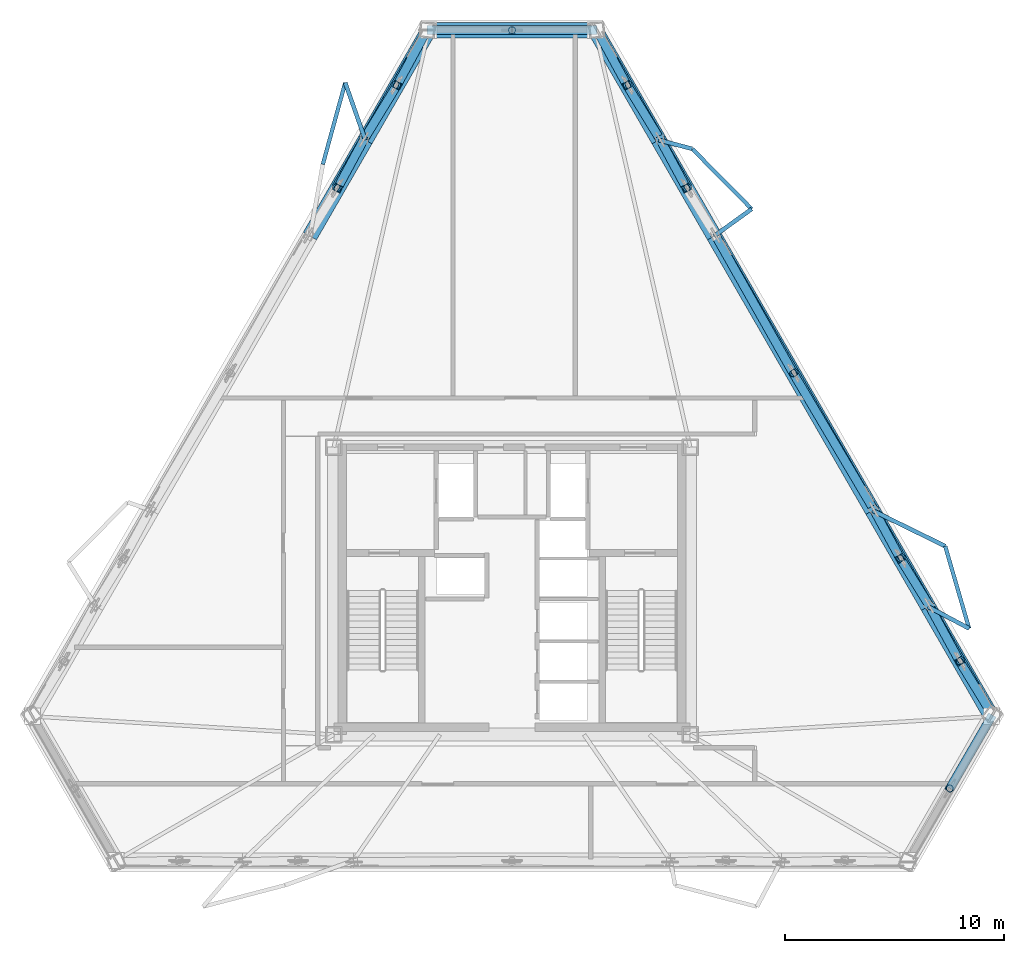
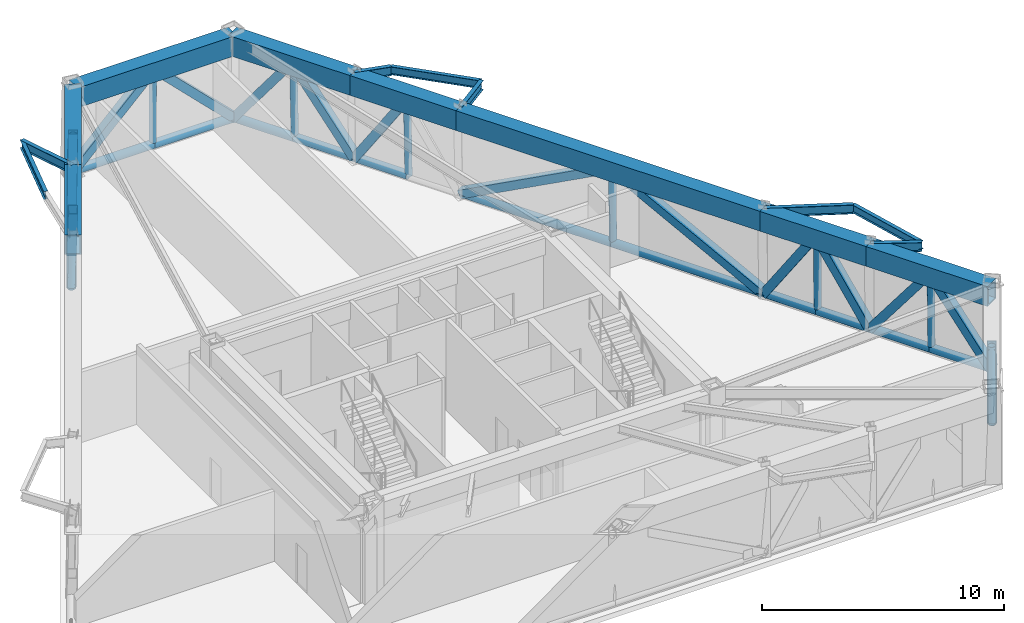
# One storey, part 4 of 10: 39 members, 16 beams.
"""IFC4 building model written with IfcOpenShell, lengths in metres."""

from ifc_helpers import new_model, si_unit, direction, frame, origin, origin_2d, place, context, subcontext, project, spatial, hollow_rectangle, hollow_circle, i_section, extrude, material, material_profile, profile_set, type_object, element, save


model = new_model("IFC4")

# Units and contexts
model_context = context("Model", 3, precision=1e-05, world=origin(), true_north=direction((0.0, 1.0)))
body_context = subcontext(model_context, "Body", "Model", "MODEL_VIEW")
ifc_project = project(units=[si_unit("LENGTHUNIT", "METRE"), si_unit("AREAUNIT", "SQUARE_METRE"), si_unit("VOLUMEUNIT", "CUBIC_METRE"), si_unit("PLANEANGLEUNIT", "RADIAN"), si_unit("MASSUNIT", "GRAM", prefix="KILO")], contexts=[model_context])

# Site, building, storey
site_placement = place(None, origin())
site = spatial("IfcSite", under=ifc_project, at=site_placement, CompositionType="ELEMENT")
building_placement = place(site_placement, origin())
building = spatial("IfcBuilding", under=site, at=building_placement, Name="Oramaril Tower", CompositionType="ELEMENT")
storey_placement = place(building_placement, frame((0.0, 0.0, 189.0)))
storey = spatial("IfcBuildingStorey", under=building, at=storey_placement, Name="L50", CompositionType="ELEMENT", Elevation=189.0)

# Beams
ifc_material_1 = material(Name="Steel ASTM A572 Gr 50", Category="steel")
ifc_material_profile_1 = material_profile(ifc_material_1, i_section(OverallWidth=0.19091796875, OverallDepth=0.45703125, WebThickness=0.009033203125, FlangeThickness=0.014404296875, at=origin_2d()), Name="W18X50")
ifc_profile_set_1 = profile_set([ifc_material_profile_1], Name="Steel ASTM A572 Gr 50")
beam_type_1 = type_object("IfcBeamType", Name="BT-BB1", PredefinedType="BEAM", material=ifc_profile_set_1)
beam_1_placement = place(storey_placement, frame((56.527587890625, 16.85986328125, 4.3515625), z_axis=(0.882349772383, -0.470594176734, 0.0), x_axis=(0.470594176734, 0.882349772383, 0.0)))
element("IfcBeam", 1, at=beam_1_placement, inside=storey, type_object=beam_type_1, Name="L50 Balcony Column-Framed Cantilever 03.1", PredefinedType="BEAM", context=body_context, shape_type="SweptSolid", body=[
    extrude(i_section(OverallWidth=0.19091796875, OverallDepth=0.45703125, WebThickness=0.009033203125, FlangeThickness=0.014404296875, at=origin_2d()), origin(), (0.0, 0.0, 1.0), 2.1328125),
])
beam_2_placement = place(storey_placement, frame((53.9912109375, 21.253173828125, 4.3515625), z_axis=(0.897909984212, -0.440179122918, 0.0), x_axis=(0.440179122918, 0.897909984212, 0.0)))
element("IfcBeam", 2, at=beam_2_placement, inside=storey, type_object=beam_type_1, Name="L50 Balcony Column-Framed Cantilever 03.2", PredefinedType="BEAM", context=body_context, shape_type="SweptSolid", body=[
    extrude(i_section(OverallWidth=0.19091796875, OverallDepth=0.45703125, WebThickness=0.009033203125, FlangeThickness=0.014404296875, at=origin_2d()), origin(), (0.0, 0.0, 1.0), 3.699951171875),
])
beam_3_placement = place(storey_placement, frame((46.744140625, 33.80517578125, 4.3515625), z_axis=(0.811140786508, 0.58485094209, 0.0), x_axis=(-0.58485094209, 0.811140786508, 0.0)))
element("IfcBeam", 3, at=beam_3_placement, inside=storey, type_object=beam_type_1, Name="L50 Balcony Column-Framed Cantilever 04.1", PredefinedType="BEAM", context=body_context, shape_type="SweptSolid", body=[
    extrude(i_section(OverallWidth=0.19091796875, OverallDepth=0.45703125, WebThickness=0.009033203125, FlangeThickness=0.014404296875, at=origin_2d()), origin(), (0.0, 0.0, 1.0), 2.118896484375),
])
beam_4_placement = place(storey_placement, frame((44.207763671875, 38.198486328125, 4.3515625), z_axis=(0.967412631442, -0.25320505628, 0.0), x_axis=(0.25320505628, 0.967412631442, 0.0)))
element("IfcBeam", 4, at=beam_4_placement, inside=storey, type_object=beam_type_1, Name="L50 Balcony Column-Framed Cantilever 04.2", PredefinedType="BEAM", context=body_context, shape_type="SweptSolid", body=[
    extrude(i_section(OverallWidth=0.19091796875, OverallDepth=0.45703125, WebThickness=0.009033203125, FlangeThickness=0.014404296875, at=origin_2d()), origin(), (0.0, 0.0, 1.0), 1.586181640625),
])
beam_5_placement = place(storey_placement, frame((30.792236328125, 38.198486328125, 4.3515625), z_axis=(-0.331344365193, 0.943509889537, 0.0), x_axis=(-0.943509889537, -0.331344365193, 0.0)))
element("IfcBeam", 5, at=beam_5_placement, inside=storey, type_object=beam_type_1, Name="L50 Balcony Column-Framed Cantilever 05.1", PredefinedType="BEAM", context=body_context, shape_type="SweptSolid", body=[
    extrude(i_section(OverallWidth=0.19091796875, OverallDepth=0.45703125, WebThickness=0.009033203125, FlangeThickness=0.014404296875, at=origin_2d()), origin(), (0.0, 0.0, 1.0), 2.778564453125),
])
ifc_material_2 = material(Name="Steel ASTM A572 Gr 50", Category="steel")
ifc_material_profile_2 = material_profile(ifc_material_2, hollow_rectangle(XDim=0.699951171875, YDim=1.0, WallThickness=0.06494140625, at=origin_2d()), Name="BOX1000X700X65")
ifc_profile_set_2 = profile_set([ifc_material_profile_2], Name="Steel ASTM A572 Gr 50")
beam_type_2 = type_object("IfcBeamType", Name="BT-BT1", PredefinedType="BEAM", material=ifc_profile_set_2)
beam_6_placement = place(storey_placement, frame((59.42626953125, 11.839111328125, 4.080078125), z_axis=(-0.499993421515, 0.866029201841, 0.0), x_axis=(-0.866029201841, -0.499993421515, 0.0)))
element("IfcBeam", 6, at=beam_6_placement, inside=storey, type_object=beam_type_2, Name="L50 Perimeter Spandrel 08", PredefinedType="BEAM", context=body_context, shape_type="SweptSolid", body=[
    extrude(hollow_rectangle(XDim=0.699951171875, YDim=1.0, WallThickness=0.06494140625, at=origin_2d()), origin(), (0.0, 0.0, 1.0), 5.79736328125),
])
beam_7_placement = place(storey_placement, frame((56.527587890625, 16.85986328125, 4.080078125), z_axis=(-0.49998490891, 0.866034116454, 0.0), x_axis=(-0.866034116454, -0.49998490891, 0.0)))
element("IfcBeam", 7, at=beam_7_placement, inside=storey, type_object=beam_type_2, Name="L50 Perimeter Spandrel 09", PredefinedType="BEAM", context=body_context, shape_type="SweptSolid", body=[
    extrude(hollow_rectangle(XDim=0.699951171875, YDim=1.0, WallThickness=0.06494140625, at=origin_2d()), origin(), (0.0, 0.0, 1.0), 5.072998046875),
])
beam_8_placement = place(storey_placement, frame((53.9912109375, 21.253173828125, 4.080078125), z_axis=(-0.500008724652, 0.866020366546, 0.0), x_axis=(-0.866020366546, -0.500008724652, 0.0)))
element("IfcBeam", 8, at=beam_8_placement, inside=storey, type_object=beam_type_2, Name="L50 Perimeter Spandrel 10", PredefinedType="BEAM", context=body_context, shape_type="SweptSolid", body=[
    extrude(hollow_rectangle(XDim=0.699951171875, YDim=1.0, WallThickness=0.06494140625, at=origin_2d()), origin(), (0.0, 0.0, 1.0), 14.493896484375),
])
beam_9_placement = place(storey_placement, frame((46.744140625, 33.80517578125, 4.080078125), z_axis=(-0.49998490891, 0.866034116454, 0.0), x_axis=(-0.866034116454, -0.49998490891, 0.0)))
element("IfcBeam", 9, at=beam_9_placement, inside=storey, type_object=beam_type_2, Name="L50 Perimeter Spandrel 11", PredefinedType="BEAM", context=body_context, shape_type="SweptSolid", body=[
    extrude(hollow_rectangle(XDim=0.699951171875, YDim=1.0, WallThickness=0.06494140625, at=origin_2d()), origin(), (0.0, 0.0, 1.0), 5.072998046875),
])
beam_10_placement = place(storey_placement, frame((44.207763671875, 38.198486328125, 4.080078125), z_axis=(-0.499993421515, 0.866029201841, 0.0), x_axis=(-0.866029201841, -0.499993421515, 0.0)))
element("IfcBeam", 10, at=beam_10_placement, inside=storey, type_object=beam_type_2, Name="L50 Perimeter Spandrel 12", PredefinedType="BEAM", context=body_context, shape_type="SweptSolid", body=[
    extrude(hollow_rectangle(XDim=0.699951171875, YDim=1.0, WallThickness=0.06494140625, at=origin_2d()), origin(), (0.0, 0.0, 1.0), 5.79736328125),
])
beam_11_placement = place(storey_placement, frame((41.30908203125, 43.21923828125, 4.080078125), z_axis=(-1.0, 0.0, 0.0), x_axis=(0.0, -1.0, 0.0)))
element("IfcBeam", 11, at=beam_11_placement, inside=storey, type_object=beam_type_2, Name="L50 Perimeter Spandrel 13", PredefinedType="BEAM", context=body_context, shape_type="SweptSolid", body=[
    extrude(hollow_rectangle(XDim=0.699951171875, YDim=1.0, WallThickness=0.06494140625, at=origin_2d()), origin(), (0.0, 0.0, 1.0), 7.6181640625),
])
beam_12_placement = place(storey_placement, frame((33.69091796875, 43.21923828125, 4.080078125), z_axis=(-0.499993421515, -0.866029201841, 0.0), x_axis=(0.866029201841, -0.499993421515, 0.0)))
element("IfcBeam", 12, at=beam_12_placement, inside=storey, type_object=beam_type_2, Name="L50 Perimeter Spandrel 14", PredefinedType="BEAM", context=body_context, shape_type="SweptSolid", body=[
    extrude(hollow_rectangle(XDim=0.699951171875, YDim=1.0, WallThickness=0.06494140625, at=origin_2d()), origin(), (0.0, 0.0, 1.0), 5.79736328125),
])
beam_13_placement = place(storey_placement, frame((30.792236328125, 38.198486328125, 4.080078125), z_axis=(-0.49998490891, -0.866034116454, 0.0), x_axis=(0.866034116454, -0.49998490891, 0.0)))
element("IfcBeam", 13, at=beam_13_placement, inside=storey, type_object=beam_type_2, Name="L50 Perimeter Spandrel 15", PredefinedType="BEAM", context=body_context, shape_type="SweptSolid", body=[
    extrude(hollow_rectangle(XDim=0.699951171875, YDim=1.0, WallThickness=0.06494140625, at=origin_2d()), origin(), (0.0, 0.0, 1.0), 5.072998046875),
])
ifc_material_3 = material(Name="Steel ASTM A572 Gr 50", Category="steel")
ifc_material_profile_3 = material_profile(ifc_material_3, i_section(OverallWidth=0.177978515625, OverallDepth=0.404052734375, WebThickness=0.007568359375, FlangeThickness=0.010986328125, at=origin_2d()), Name="W16X36")
ifc_profile_set_3 = profile_set([ifc_material_profile_3], Name="Steel ASTM A572 Gr 50")
beam_type_3 = type_object("IfcBeamType", Name="BT-SB1", PredefinedType="BEAM", material=ifc_profile_set_3)
beam_14_placement = place(storey_placement, frame((58.409423828125, 15.856201171875, 4.3779296875), z_axis=(-0.279261755435, 0.960215013396, 0.0), x_axis=(-0.960215013396, -0.279261755435, 0.0)))
element("IfcBeam", 14, at=beam_14_placement, inside=storey, type_object=beam_type_3, Name="L50 Balcony Edge Tie Beam 03", PredefinedType="BEAM", context=body_context, shape_type="SweptSolid", body=[
    extrude(i_section(OverallWidth=0.177978515625, OverallDepth=0.404052734375, WebThickness=0.007568359375, FlangeThickness=0.010986328125, at=origin_2d()), origin(), (0.0, 0.0, 1.0), 3.924560546875),
])
for number, where, z_axis, x_axis, name in (
    (15, (48.462890625, 35.04443359375, 4.3779296875), (-0.702994511648, 0.71119527318, 0.0), (-0.71119527318, -0.702994511648, 0.0), "L50 Balcony Edge Tie Beam 04"),
    (16, (29.87158203125, 40.820068359375, 4.3779296875), (-0.264382243015, -0.964417974521, 0.0), (0.964417974521, -0.264382243015, 0.0), "L50 Balcony Edge Tie Beam 05"),
):
    element("IfcBeam", number, at=place(storey_placement, frame(where, z_axis=z_axis, x_axis=x_axis)), inside=storey, type_object=beam_type_3, Name=name, PredefinedType="BEAM", context=body_context, shape_type="SweptSolid", body=[
        extrude(i_section(OverallWidth=0.177978515625, OverallDepth=0.404052734375, WebThickness=0.007568359375, FlangeThickness=0.010986328125, at=origin_2d()), origin(), (0.0, 0.0, 1.0), 3.8701171875),
    ])

# Members
ifc_material_4 = material(Name="Steel ASTM A572 Gr 50", Category="steel")
ifc_material_profile_4 = material_profile(ifc_material_4, hollow_rectangle(XDim=0.39990234375, YDim=0.39990234375, WallThickness=0.02001953125, at=origin_2d()), Name="HSS400X400X20")
ifc_profile_set_4 = profile_set([ifc_material_profile_4], Name="Steel ASTM A572 Gr 50")
member_type_1 = type_object("IfcMemberType", Name="MT-BD1", PredefinedType="BRACE", material=ifc_profile_set_4)
member_1_placement = place(storey_placement, frame((59.472412109375, 11.900146484375, 0.2099609375), z_axis=(-0.355719905026, -0.612693032912, 0.705741168269), x_axis=(0.864811832392, -0.502096100916, 0.0)))
element("IfcMember", 17, at=member_1_placement, inside=storey, type_object=member_type_1, Name="L50 Truss Diagonal 07B", PredefinedType="BRACE", context=body_context, shape_type="SweptSolid", body=[
    extrude(hollow_rectangle(XDim=0.39990234375, YDim=0.39990234375, WallThickness=0.02001953125, at=origin_2d()), origin(), (0.0, 0.0, 1.0), 5.483642578125),
])
member_2_placement = place(storey_placement, frame((59.472412109375, 11.900146484375, 0.2099609375), z_axis=(-0.310411121229, 0.508383085095, 0.803238180496), x_axis=(-0.853481536128, -0.521123082859, 0.0)))
element("IfcMember", 18, at=member_2_placement, inside=storey, type_object=member_type_1, Name="L50 Truss Diagonal 08A", PredefinedType="BRACE", context=body_context, shape_type="SweptSolid", body=[
    extrude(hollow_rectangle(XDim=0.39990234375, YDim=0.39990234375, WallThickness=0.02001953125, at=origin_2d()), origin(), (0.0, 0.0, 1.0), 4.818115234375),
])
member_3_placement = place(storey_placement, frame((56.578369140625, 16.91259765625, 0.2099609375), z_axis=(0.288461247517, -0.528677754266, 0.798304416138), x_axis=(0.877831652528, 0.478969299455, 0.0)))
element("IfcMember", 19, at=member_3_placement, inside=storey, type_object=member_type_1, Name="L50 Truss Diagonal 08B", PredefinedType="BRACE", context=body_context, shape_type="SweptSolid", body=[
    extrude(hollow_rectangle(XDim=0.39990234375, YDim=0.39990234375, WallThickness=0.02001953125, at=origin_2d()), origin(), (0.0, 0.0, 1.0), 4.847900390625),
])
member_4_placement = place(storey_placement, frame((56.578369140625, 16.91259765625, 0.2099609375), z_axis=(-0.285723368843, 0.464359967021, 0.838291105479), x_axis=(-0.851688287143, -0.524048720582, 0.0)))
element("IfcMember", 20, at=member_4_placement, inside=storey, type_object=member_type_1, Name="L50 Truss Diagonal 09A", PredefinedType="BRACE", context=body_context, shape_type="SweptSolid", body=[
    extrude(hollow_rectangle(XDim=0.39990234375, YDim=0.39990234375, WallThickness=0.02001953125, at=origin_2d()), origin(), (0.0, 0.0, 1.0), 4.61669921875),
])
member_5_placement = place(storey_placement, frame((54.0458984375, 21.298583984375, 0.2099609375), z_axis=(0.261821058848, -0.483815815786, 0.835088013049), x_axis=(0.879479052486, 0.475937597001, 0.0)))
element("IfcMember", 21, at=member_5_placement, inside=storey, type_object=member_type_1, Name="L50 Truss Diagonal 09B", PredefinedType="BRACE", context=body_context, shape_type="SweptSolid", body=[
    extrude(hollow_rectangle(XDim=0.39990234375, YDim=0.39990234375, WallThickness=0.02001953125, at=origin_2d()), origin(), (0.0, 0.0, 1.0), 4.63427734375),
])
for number, where, z_axis, x_axis, name in (
    (22, (54.0458984375, 21.298583984375, 0.2099609375), (-0.448267462353, 0.759341159346, 0.471653777593), (-0.861142082439, -0.508364351476, 0.0), "L50 Truss Diagonal 10A"),
    (23, (46.81103515625, 33.830078125, 0.2099609375), (0.433455226422, -0.767889379702, 0.471659270266), (0.870839219785, 0.491567953883, 0.0), "L50 Truss Diagonal 10B"),
):
    element("IfcMember", number, at=place(storey_placement, frame(where, z_axis=z_axis, x_axis=x_axis)), inside=storey, type_object=member_type_1, Name=name, PredefinedType="BRACE", context=body_context, shape_type="SweptSolid", body=[
        extrude(hollow_rectangle(XDim=0.39990234375, YDim=0.39990234375, WallThickness=0.02001953125, at=origin_2d()), origin(), (0.0, 0.0, 1.0), 8.205322265625),
    ])
member_6_placement = place(storey_placement, frame((44.27880859375, 38.216064453125, 0.2099609375), z_axis=(0.259329363617, -0.479632407831, 0.838272649276), x_axis=(0.879653876423, 0.475614400218, 0.0)))
element("IfcMember", 24, at=member_6_placement, inside=storey, type_object=member_type_1, Name="L50 Truss Diagonal 11B", PredefinedType="BRACE", context=body_context, shape_type="SweptSolid", body=[
    extrude(hollow_rectangle(XDim=0.39990234375, YDim=0.39990234375, WallThickness=0.02001953125, at=origin_2d()), origin(), (0.0, 0.0, 1.0), 4.61669921875),
])
member_7_placement = place(storey_placement, frame((44.27880859375, 38.216064453125, 0.2099609375), z_axis=(-0.313635568808, 0.514164925744, 0.798290147198), x_axis=(-0.853707327148, -0.520753108078, 0.0)))
element("IfcMember", 25, at=member_7_placement, inside=storey, type_object=member_type_1, Name="L50 Truss Diagonal 12A", PredefinedType="BRACE", context=body_context, shape_type="SweptSolid", body=[
    extrude(hollow_rectangle(XDim=0.39990234375, YDim=0.39990234375, WallThickness=0.02001953125, at=origin_2d()), origin(), (0.0, 0.0, 1.0), 4.847900390625),
])
member_8_placement = place(storey_placement, frame((41.384765625, 43.228515625, 0.2099609375), z_axis=(0.285080715625, -0.522985792031, 0.803252666919), x_axis=(0.878025586535, 0.478613695364, 0.0)))
element("IfcMember", 26, at=member_8_placement, inside=storey, type_object=member_type_1, Name="L50 Truss Diagonal 12B", PredefinedType="BRACE", context=body_context, shape_type="SweptSolid", body=[
    extrude(hollow_rectangle(XDim=0.39990234375, YDim=0.39990234375, WallThickness=0.02001953125, at=origin_2d()), origin(), (0.0, 0.0, 1.0), 4.818115234375),
])
for number, where, z_axis, x_axis, name in (
    (27, (41.384765625, 43.228515625, 0.2099609375), (-0.708440179224, -0.001691850604, 0.705768836165), (0.002388127931, -0.999997148418, 0.0), "L50 Truss Diagonal 13A"),
    (28, (33.615234375, 43.228515625, 0.2099609375), (0.708440179224, -0.001691850604, 0.705768836165), (0.002388127931, 0.999997148418, 0.0), "L50 Truss Diagonal 13B"),
):
    element("IfcMember", number, at=place(storey_placement, frame(where, z_axis=z_axis, x_axis=x_axis)), inside=storey, type_object=member_type_1, Name=name, PredefinedType="BRACE", context=body_context, shape_type="SweptSolid", body=[
        extrude(hollow_rectangle(XDim=0.39990234375, YDim=0.39990234375, WallThickness=0.02001953125, at=origin_2d()), origin(), (0.0, 0.0, 1.0), 5.483642578125),
    ])
member_9_placement = place(storey_placement, frame((33.615234375, 43.228515625, 0.2099609375), z_axis=(-0.285080715625, -0.522985792031, 0.803252666919), x_axis=(0.878025586535, -0.478613695364, 0.0)))
element("IfcMember", 29, at=member_9_placement, inside=storey, type_object=member_type_1, Name="L50 Truss Diagonal 14A", PredefinedType="BRACE", context=body_context, shape_type="SweptSolid", body=[
    extrude(hollow_rectangle(XDim=0.39990234375, YDim=0.39990234375, WallThickness=0.02001953125, at=origin_2d()), origin(), (0.0, 0.0, 1.0), 4.818115234375),
])
member_10_placement = place(storey_placement, frame((30.72119140625, 38.216064453125, 0.2099609375), z_axis=(0.313635568808, 0.514164925744, 0.798290147198), x_axis=(-0.853707327148, 0.520753108078, 0.0)))
element("IfcMember", 30, at=member_10_placement, inside=storey, type_object=member_type_1, Name="L50 Truss Diagonal 14B", PredefinedType="BRACE", context=body_context, shape_type="SweptSolid", body=[
    extrude(hollow_rectangle(XDim=0.39990234375, YDim=0.39990234375, WallThickness=0.02001953125, at=origin_2d()), origin(), (0.0, 0.0, 1.0), 4.847900390625),
])
member_11_placement = place(storey_placement, frame((30.72119140625, 38.216064453125, 0.2099609375), z_axis=(-0.259329363617, -0.479632407831, 0.838272649276), x_axis=(0.879653876423, -0.475614400218, 0.0)))
element("IfcMember", 31, at=member_11_placement, inside=storey, type_object=member_type_1, Name="L50 Truss Diagonal 15A", PredefinedType="BRACE", context=body_context, shape_type="SweptSolid", body=[
    extrude(hollow_rectangle(XDim=0.39990234375, YDim=0.39990234375, WallThickness=0.02001953125, at=origin_2d()), origin(), (0.0, 0.0, 1.0), 4.61669921875),
])
ifc_material_5 = material(Name="Steel ASTM A572 Gr 50", Category="steel")
ifc_material_profile_5 = material_profile(ifc_material_5, hollow_circle(Radius=0.202880859375, WallThickness=0.01611328125, at=origin_2d()), Name="CHS406X16")
ifc_profile_set_5 = profile_set([ifc_material_profile_5], Name="Steel ASTM A572 Gr 50")
member_type_2 = type_object("IfcMemberType", Name="MT-CH1", PredefinedType="CHORD", material=ifc_profile_set_5)
member_12_placement = place(storey_placement, frame((57.52978515625, 8.535888671875, 0.2099609375), z_axis=(0.500052472097, 0.865995106886, 0.0), x_axis=(-0.865995106886, 0.500052472097, 0.0)))
element("IfcMember", 32, at=member_12_placement, inside=storey, type_object=member_type_2, Name="L50 Belt Truss Chord 07B", PredefinedType="CHORD", context=body_context, shape_type="SweptSolid", body=[
    extrude(hollow_circle(Radius=0.202880859375, WallThickness=0.01611328125, at=origin_2d()), origin(), (0.0, 0.0, 1.0), 3.884765625),
])
member_13_placement = place(storey_placement, frame((59.472412109375, 11.900146484375, 0.2099609375), z_axis=(-0.499995073634, 0.866028248005, 0.0), x_axis=(-0.866028248005, -0.499995073634, 0.0)))
element("IfcMember", 33, at=member_13_placement, inside=storey, type_object=member_type_2, Name="L50 Belt Truss Chord 08A", PredefinedType="CHORD", context=body_context, shape_type="SweptSolid", body=[
    extrude(hollow_circle(Radius=0.202880859375, WallThickness=0.01611328125, at=origin_2d()), origin(), (0.0, 0.0, 1.0), 2.89404296875),
])
member_14_placement = place(storey_placement, frame((58.025390625, 14.406494140625, 0.2099609375), z_axis=(-0.500031604084, 0.866007156389, 0.0), x_axis=(-0.866007156389, -0.500031604084, 0.0)))
element("IfcMember", 34, at=member_14_placement, inside=storey, type_object=member_type_2, Name="L50 Belt Truss Chord 08B", PredefinedType="CHORD", context=body_context, shape_type="SweptSolid", body=[
    extrude(hollow_circle(Radius=0.202880859375, WallThickness=0.01611328125, at=origin_2d()), origin(), (0.0, 0.0, 1.0), 2.893798828125),
])
member_15_placement = place(storey_placement, frame((56.578369140625, 16.91259765625, 0.2099609375), z_axis=(-0.49997559865, 0.866039491452, 0.0), x_axis=(-0.866039491452, -0.49997559865, 0.0)))
element("IfcMember", 35, at=member_15_placement, inside=storey, type_object=member_type_2, Name="L50 Belt Truss Chord 09A", PredefinedType="CHORD", context=body_context, shape_type="SweptSolid", body=[
    extrude(hollow_circle(Radius=0.202880859375, WallThickness=0.01611328125, at=origin_2d()), origin(), (0.0, 0.0, 1.0), 2.532470703125),
])
member_16_placement = place(storey_placement, frame((55.312255859375, 19.105712890625, 0.2099609375), z_axis=(-0.500089652067, 0.865973636952, 0.0), x_axis=(-0.865973636952, -0.500089652067, 0.0)))
element("IfcMember", 36, at=member_16_placement, inside=storey, type_object=member_type_2, Name="L50 Belt Truss Chord 09B", PredefinedType="CHORD", context=body_context, shape_type="SweptSolid", body=[
    extrude(hollow_circle(Radius=0.202880859375, WallThickness=0.01611328125, at=origin_2d()), origin(), (0.0, 0.0, 1.0), 2.5322265625),
])
member_17_placement = place(storey_placement, frame((54.0458984375, 21.298583984375, 0.2099609375), z_axis=(-0.499997031082, 0.866027117883, 0.0), x_axis=(-0.866027117883, -0.499997031082, 0.0)))
element("IfcMember", 37, at=member_17_placement, inside=storey, type_object=member_type_2, Name="L50 Belt Truss Chord 10A", PredefinedType="CHORD", context=body_context, shape_type="SweptSolid", body=[
    extrude(hollow_circle(Radius=0.202880859375, WallThickness=0.01611328125, at=origin_2d()), origin(), (0.0, 0.0, 1.0), 7.23486328125),
])
member_18_placement = place(storey_placement, frame((50.428466796875, 27.564208984375, 0.2099609375), z_axis=(-0.499982419559, 0.866035553619, 0.0), x_axis=(-0.866035553619, -0.499982419559, 0.0)))
element("IfcMember", 38, at=member_18_placement, inside=storey, type_object=member_type_2, Name="L50 Belt Truss Chord 10B", PredefinedType="CHORD", context=body_context, shape_type="SweptSolid", body=[
    extrude(hollow_circle(Radius=0.202880859375, WallThickness=0.01611328125, at=origin_2d()), origin(), (0.0, 0.0, 1.0), 7.235107421875),
])
member_19_placement = place(storey_placement, frame((45.544921875, 36.02294921875, 0.2099609375), z_axis=(-0.49997559865, 0.866039491452, 0.0), x_axis=(-0.866039491452, -0.49997559865, 0.0)))
element("IfcMember", 39, at=member_19_placement, inside=storey, type_object=member_type_2, Name="L50 Belt Truss Chord 11B", PredefinedType="CHORD", context=body_context, shape_type="SweptSolid", body=[
    extrude(hollow_circle(Radius=0.202880859375, WallThickness=0.01611328125, at=origin_2d()), origin(), (0.0, 0.0, 1.0), 2.532470703125),
])
member_20_placement = place(storey_placement, frame((44.27880859375, 38.216064453125, 0.2099609375), z_axis=(-0.499995073634, 0.866028248005, 0.0), x_axis=(-0.866028248005, -0.499995073634, 0.0)))
element("IfcMember", 40, at=member_20_placement, inside=storey, type_object=member_type_2, Name="L50 Belt Truss Chord 12A", PredefinedType="CHORD", context=body_context, shape_type="SweptSolid", body=[
    extrude(hollow_circle(Radius=0.202880859375, WallThickness=0.01611328125, at=origin_2d()), origin(), (0.0, 0.0, 1.0), 2.89404296875),
])
member_21_placement = place(storey_placement, frame((42.831787109375, 40.722412109375, 0.2099609375), z_axis=(-0.500031604084, 0.866007156389, 0.0), x_axis=(-0.866007156389, -0.500031604084, 0.0)))
element("IfcMember", 41, at=member_21_placement, inside=storey, type_object=member_type_2, Name="L50 Belt Truss Chord 12B", PredefinedType="CHORD", context=body_context, shape_type="SweptSolid", body=[
    extrude(hollow_circle(Radius=0.202880859375, WallThickness=0.01611328125, at=origin_2d()), origin(), (0.0, 0.0, 1.0), 2.893798828125),
])
for number, where, z_axis, x_axis, name in (
    (42, (41.384765625, 43.228515625, 0.2099609375), (-1.0, 0.0, 0.0), (0.0, -1.0, 0.0), "L50 Belt Truss Chord 13A"),
    (43, (37.5, 43.228515625, 0.2099609375), (-1.0, 0.0, 0.0), (0.0, -1.0, 0.0), "L50 Belt Truss Chord 13B"),
):
    element("IfcMember", number, at=place(storey_placement, frame(where, z_axis=z_axis, x_axis=x_axis)), inside=storey, type_object=member_type_2, Name=name, PredefinedType="CHORD", context=body_context, shape_type="SweptSolid", body=[
        extrude(hollow_circle(Radius=0.202880859375, WallThickness=0.01611328125, at=origin_2d()), origin(), (0.0, 0.0, 1.0), 3.884765625),
    ])
member_22_placement = place(storey_placement, frame((33.615234375, 43.228515625, 0.2099609375), z_axis=(-0.500031604084, -0.866007156389, 0.0), x_axis=(0.866007156389, -0.500031604084, 0.0)))
element("IfcMember", 44, at=member_22_placement, inside=storey, type_object=member_type_2, Name="L50 Belt Truss Chord 14A", PredefinedType="CHORD", context=body_context, shape_type="SweptSolid", body=[
    extrude(hollow_circle(Radius=0.202880859375, WallThickness=0.01611328125, at=origin_2d()), origin(), (0.0, 0.0, 1.0), 2.893798828125),
])
member_23_placement = place(storey_placement, frame((32.168212890625, 40.722412109375, 0.2099609375), z_axis=(-0.499995073634, -0.866028248005, 0.0), x_axis=(0.866028248005, -0.499995073634, 0.0)))
element("IfcMember", 45, at=member_23_placement, inside=storey, type_object=member_type_2, Name="L50 Belt Truss Chord 14B", PredefinedType="CHORD", context=body_context, shape_type="SweptSolid", body=[
    extrude(hollow_circle(Radius=0.202880859375, WallThickness=0.01611328125, at=origin_2d()), origin(), (0.0, 0.0, 1.0), 2.89404296875),
])
member_24_placement = place(storey_placement, frame((30.72119140625, 38.216064453125, 0.2099609375), z_axis=(-0.49997559865, -0.866039491452, 0.0), x_axis=(0.866039491452, -0.49997559865, 0.0)))
element("IfcMember", 46, at=member_24_placement, inside=storey, type_object=member_type_2, Name="L50 Belt Truss Chord 15A", PredefinedType="CHORD", context=body_context, shape_type="SweptSolid", body=[
    extrude(hollow_circle(Radius=0.202880859375, WallThickness=0.01611328125, at=origin_2d()), origin(), (0.0, 0.0, 1.0), 2.532470703125),
])
ifc_material_6 = material(Name="Steel ASTM A572 Gr 50", Category="steel")
ifc_material_profile_6 = material_profile(ifc_material_6, hollow_circle(Radius=0.162109375, WallThickness=0.011962890625, at=origin_2d()), Name="CHS324X12")
ifc_profile_set_6 = profile_set([ifc_material_profile_6], Name="Steel ASTM A572 Gr 50")
member_type_3 = type_object("IfcMemberType", Name="MT-ST1", PredefinedType="STRUT", material=ifc_profile_set_6)
member_25_placement = place(storey_placement, frame((57.52978515625, 8.535888671875, 0.2099609375), z_axis=(-0.002081750392, 0.001135500214, 0.999997188473), x_axis=(-0.478852130681, -0.877895572914, 0.0)))
element("IfcMember", 47, at=member_25_placement, inside=storey, type_object=member_type_3, Name="L50 Belt Truss Strut 07", PredefinedType="STRUT", context=body_context, shape_type="SweptSolid", body=[
    extrude(hollow_circle(Radius=0.162109375, WallThickness=0.011962890625, at=origin_2d()), origin(), (0.0, 0.0, 1.0), 3.8701171875),
])
for number, where, z_axis, x_axis, name in (
    (48, (58.025390625, 14.406494140625, 0.2099609375), (-0.012551276395, -0.014695715578, 0.999813233261), (0.760407254484, -0.649446539238, 0.0), "L50 Belt Truss Strut 08"),
    (49, (55.312255859375, 19.105712890625, 0.2099609375), (-0.013686730986, -0.012740643591, 0.999825159413), (0.681356220694, -0.731951979656, 0.0), "L50 Belt Truss Strut 09"),
    (50, (50.428466796875, 27.564208984375, 0.2099609375), (-0.015705220797, -0.009019464152, 0.999835984202), (0.498013031946, -0.867169545136, 0.0), "L50 Belt Truss Strut 10"),
    (51, (45.544921875, 36.02294921875, 0.2099609375), (-0.017786471336, -0.005487315625, 0.999826750395), (0.29480010059, -0.955558946739, 0.0), "L50 Belt Truss Strut 11"),
    (52, (42.831787109375, 40.722412109375, 0.2099609375), (-0.018984599722, -0.003532018553, 0.999813537525), (0.182907916183, -0.983130049484, 0.0), "L50 Belt Truss Strut 12"),
):
    element("IfcMember", number, at=place(storey_placement, frame(where, z_axis=z_axis, x_axis=x_axis)), inside=storey, type_object=member_type_3, Name=name, PredefinedType="STRUT", context=body_context, shape_type="SweptSolid", body=[
        extrude(hollow_circle(Radius=0.162109375, WallThickness=0.011962890625, at=origin_2d()), origin(), (0.0, 0.0, 1.0), 3.870849609375),
    ])
member_26_placement = place(storey_placement, frame((37.5, 43.228515625, 0.2099609375), z_axis=(0.0, -0.002397166971, 0.999997126791), x_axis=(1.0, 0.0, 0.0)))
element("IfcMember", 53, at=member_26_placement, inside=storey, type_object=member_type_3, Name="L50 Belt Truss Strut 13", PredefinedType="STRUT", context=body_context, shape_type="SweptSolid", body=[
    extrude(hollow_circle(Radius=0.162109375, WallThickness=0.011962890625, at=origin_2d()), origin(), (0.0, 0.0, 1.0), 3.8701171875),
])
for number, where, z_axis, x_axis, name in (
    (54, (32.168212890625, 40.722412109375, 0.2099609375), (0.018984599722, -0.003532018553, 0.999813537525), (0.182907916183, 0.983130049484, 0.0), "L50 Belt Truss Strut 14"),
    (55, (29.455078125, 36.02294921875, 0.2099609375), (0.017786471336, -0.005487315625, 0.999826750395), (0.29480010059, 0.955558946739, 0.0), "L50 Belt Truss Strut 15"),
):
    element("IfcMember", number, at=place(storey_placement, frame(where, z_axis=z_axis, x_axis=x_axis)), inside=storey, type_object=member_type_3, Name=name, PredefinedType="STRUT", context=body_context, shape_type="SweptSolid", body=[
        extrude(hollow_circle(Radius=0.162109375, WallThickness=0.011962890625, at=origin_2d()), origin(), (0.0, 0.0, 1.0), 3.870849609375),
    ])

save(model, "model.ifc")
